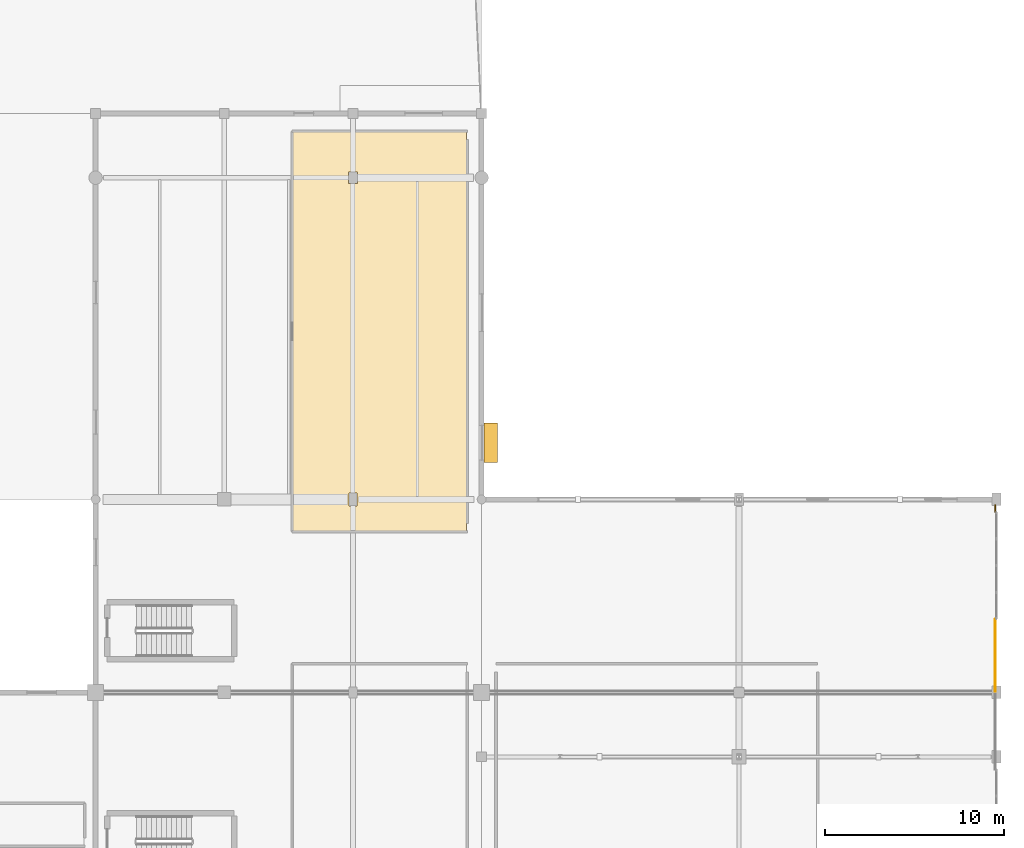
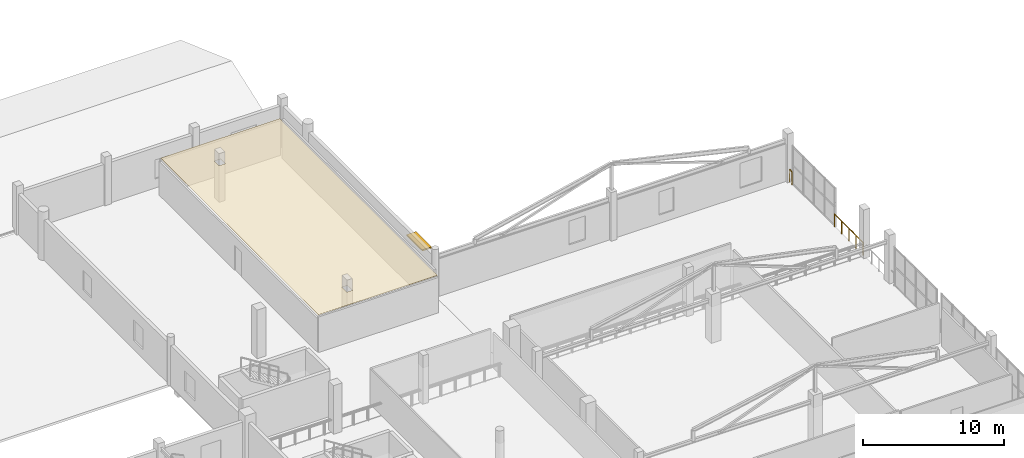
# One storey, part 91 of 92: 2 railings, 1 covering, 1 shading device.
"""IFC4 building model written with IfcOpenShell, lengths in metres."""

from ifc_helpers import new_model, si_unit, direction, frame, origin, origin_2d, place, context, subcontext, project, spatial, polyline, rectangle, circle, outline, extrude, material, layer, layer_set, type_object, element, save


model = new_model("IFC4")

# Units and contexts
model_context = context("Model", 3, precision=1e-05, world=origin(), true_north=direction((0.0, 1.0)))
body_context = subcontext(model_context, "Body", "Model", "MODEL_VIEW")
ifc_project = project(units=[si_unit("LENGTHUNIT", "METRE"), si_unit("AREAUNIT", "SQUARE_METRE"), si_unit("VOLUMEUNIT", "CUBIC_METRE"), si_unit("PLANEANGLEUNIT", "RADIAN"), si_unit("MASSUNIT", "GRAM", prefix="KILO")], contexts=[model_context])

# Site, building, storey
site_placement = place(None, origin())
site = spatial("IfcSite", under=ifc_project, at=site_placement, CompositionType="ELEMENT")
building_placement = place(site_placement, origin())
building = spatial("IfcBuilding", under=site, at=building_placement, Name="Solanera Park Tramway Depot", CompositionType="ELEMENT")
storey_placement = place(building_placement, frame((0.0, 0.0, 4.800048828125)))
storey = spatial("IfcBuildingStorey", under=building, at=storey_placement, Name="L01", CompositionType="ELEMENT", Elevation=4.800048828125)

# Covering
ifc_material_1 = material(Name="Acoustic perforated plasterboard and mineral-fibre ceiling")
ifc_layer_1 = layer(ifc_material_1, 0.02001953125)
ifc_layer_set_1 = layer_set([ifc_layer_1], Name="Acoustic perforated plasterboard and mineral-fibre ceiling")
covering_type = type_object("IfcCoveringType", Name="Acoustic Mineral-Fibre Ceiling 20", PredefinedType="CEILING", material=ifc_layer_set_1)
covering_placement = place(storey_placement, frame((0.0, 0.0, 3.14990234375)))
element("IfcCovering", 1, at=covering_placement, inside=storey, type_object=covering_type, Name="Rolling Stock Reliability Records Office Acoustic Ceiling", PredefinedType="CEILING", context=body_context, shape_type="SweptSolid", body=[
    extrude(outline(polyline([(176.639892578125, 85.360107421875), (186.360107421875, 85.360107421875), (186.360107421875, 63.0400390625), (176.639892578125, 63.0400390625), (176.639892578125, 85.360107421875)]), holes=[polyline([(180.22802734375, 65.153076171875), (179.77197265625, 65.153076171875), (179.77197265625, 64.447021484375), (180.22802734375, 64.447021484375), (180.22802734375, 65.153076171875)]), polyline([(180.2529296875, 82.471923828125), (180.2529296875, 83.1279296875), (179.7470703125, 83.1279296875), (179.7470703125, 82.471923828125), (180.2529296875, 82.471923828125)])]), origin(), (0.0, 0.0, 1.0), 0.02001953125),
])

# Railings
ifc_material_2 = material(Name="Powder-coated galvanised steel balustrade", Category="steel")
ifc_layer_2 = layer(ifc_material_2, 0.06005859375)
ifc_layer_set_2 = layer_set([ifc_layer_2], Name="Powder-coated galvanised steel balustrade")
railing_type = type_object("IfcRailingType", Name="Classical Wrought-Style Balustrade 1120", PredefinedType="BALUSTRADE", material=ifc_layer_set_2)
railing_1_placement = place(storey_placement, frame((215.93994140625, 64.47998046875, 0.0)))
element("IfcRailing", 2, at=railing_1_placement, inside=storey, type_object=railing_type, Name="L01 Perimeter Deck Balustrade #031", PredefinedType="BALUSTRADE", context=body_context, shape_type="SweptSolid", body=[
    extrude(circle(Radius=0.02392578125, at=origin_2d()), frame((0.0, 0.0, 1.09619140625), z_axis=(0.0, -1.0, 0.0), x_axis=(1.0, 0.0, 0.0)), (0.0, 0.0, 1.0), 0.3798828125),
    extrude(circle(Radius=0.02099609375, at=origin_2d()), origin(), (0.0, 0.0, 1.0), 1.072021484375),
    extrude(circle(Radius=0.02099609375, at=origin_2d()), frame((0.0, -0.3798828125, 0.0)), (0.0, 0.0, 1.0), 1.072021484375),
])
railing_2_placement = place(storey_placement, frame((215.93994140625, 58.10009765625, 0.0)))
element("IfcRailing", 3, at=railing_2_placement, inside=storey, type_object=railing_type, Name="L01 Perimeter Deck Balustrade #032", PredefinedType="BALUSTRADE", context=body_context, shape_type="SweptSolid", body=[
    extrude(circle(Radius=0.02392578125, at=origin_2d()), frame((0.0, 0.0, 1.09619140625), z_axis=(0.0, -1.0, 0.0), x_axis=(1.0, 0.0, 0.0)), (0.0, 0.0, 1.0), 4.0400390625),
    extrude(circle(Radius=0.02099609375, at=origin_2d()), origin(), (0.0, 0.0, 1.0), 1.072021484375),
    extrude(circle(Radius=0.02099609375, at=origin_2d()), frame((0.0, -1.010009765625, 0.0)), (0.0, 0.0, 1.0), 1.072021484375),
    extrude(circle(Radius=0.02099609375, at=origin_2d()), frame((0.0, -2.02001953125, 0.0)), (0.0, 0.0, 1.0), 1.072021484375),
    extrude(circle(Radius=0.02099609375, at=origin_2d()), frame((0.0, -3.030029296875, 0.0)), (0.0, 0.0, 1.0), 1.072021484375),
    extrude(circle(Radius=0.02099609375, at=origin_2d()), frame((0.0, -4.0400390625, 0.0)), (0.0, 0.0, 1.0), 1.072021484375),
])

# Shading device
ifc_material_3 = material(Name="Extruded terracotta brise-soleil hood", Category="masonry")
shading_device_type = type_object("IfcShadingDeviceType", Name="Terracotta Brise-Soleil Sunshade Hood 2200x750", PredefinedType="USERDEFINED", material=ifc_material_3)
shading_device_placement = place(storey_placement, frame((187.715087890625, 67.97509765625, 2.579833984375), z_axis=(0.0, 0.0, 1.0), x_axis=(0.0, 1.0, 0.0)))
element("IfcShadingDevice", 4, at=shading_device_placement, inside=storey, type_object=shading_device_type, Name="Terracotta Brise-Soleil Sunshade #027", ObjectType="SUNSHADE", PredefinedType="USERDEFINED", context=body_context, shape_type="SweptSolid", body=[
    extrude(rectangle(XDim=2.199951171875, YDim=0.75, at=origin_2d()), origin(), (0.0, 0.0, 1.0), 0.1201171875),
])

save(model, "model.ifc")
